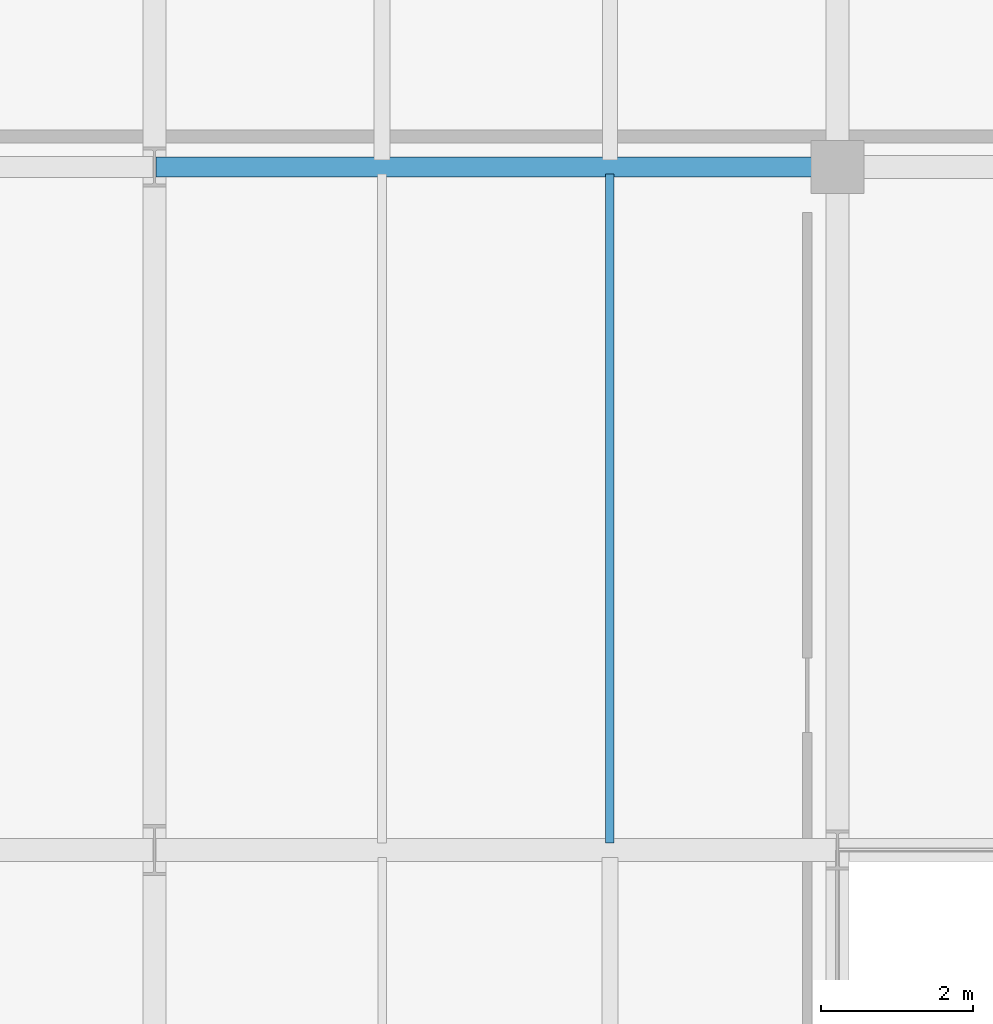
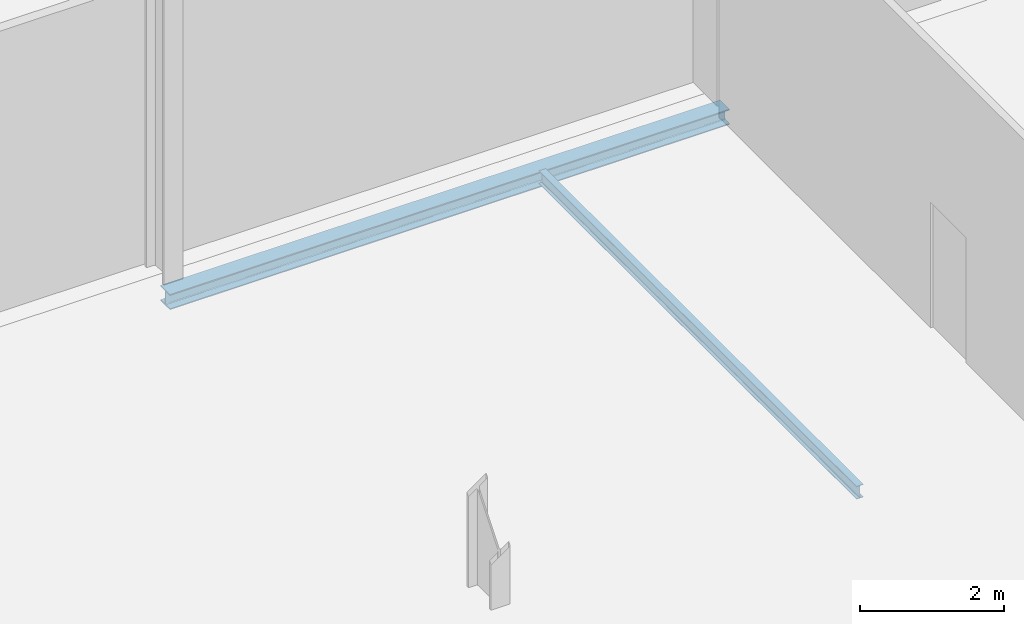
# One storey, part 64 of 237: 2 beams.
"""IFC4 building model written with IfcOpenShell, lengths in metres."""

from ifc_helpers import new_model, si_unit, direction, frame, origin, origin_2d, place, context, subcontext, project, spatial, i_section, extrude, material, material_profile, profile_set, type_object, element, save


model = new_model("IFC4")

# Units and contexts
model_context = context("Model", 3, precision=1e-05, world=origin(), true_north=direction((0.0, 1.0)))
body_context = subcontext(model_context, "Body", "Model", "MODEL_VIEW")
ifc_project = project(units=[si_unit("LENGTHUNIT", "METRE"), si_unit("AREAUNIT", "SQUARE_METRE"), si_unit("VOLUMEUNIT", "CUBIC_METRE"), si_unit("PLANEANGLEUNIT", "RADIAN"), si_unit("MASSUNIT", "GRAM", prefix="KILO")], contexts=[model_context])

# Site, building, storey
site_placement = place(None, origin())
site = spatial("IfcSite", under=ifc_project, at=site_placement, CompositionType="ELEMENT")
building_placement = place(site_placement, origin())
building = spatial("IfcBuilding", under=site, at=building_placement, Name="Barlavento Convention Centre", CompositionType="ELEMENT")
storey_placement = place(building_placement, frame((0.0, 0.0, 12.0)))
storey = spatial("IfcBuildingStorey", under=building, at=storey_placement, Name="L02", CompositionType="ELEMENT", Elevation=12.0)

# Beams
ifc_material = material(Name="Steel S355", Category="steel")
ifc_material_profile_1 = material_profile(ifc_material, i_section(OverallWidth=0.110107421875, OverallDepth=0.219970703125, WebThickness=0.005859375, FlangeThickness=0.00927734375, FilletRadius=0.011962890625, at=origin_2d()), Name="IPE 220")
ifc_profile_set_1 = profile_set([ifc_material_profile_1], Name="Steel S355")
beam_type_1 = type_object("IfcBeamType", Name="STR-BM-JST-IPE220", PredefinedType="JOIST", material=ifc_profile_set_1)
beam_1_placement = place(storey_placement, frame((15.0, 45.094970703125, -0.409912109375), z_axis=(0.0, 1.0, 0.0), x_axis=(-1.0, 0.0, 0.0)))
element("IfcBeam", 1, at=beam_1_placement, inside=storey, type_object=beam_type_1, Name="L02 composite floor joist SJ10", PredefinedType="JOIST", context=body_context, shape_type="SweptSolid", body=[
    extrude(i_section(OverallWidth=0.110107421875, OverallDepth=0.219970703125, WebThickness=0.005859375, FlangeThickness=0.00927734375, FilletRadius=0.011962890625, at=origin_2d()), origin(), (0.0, 0.0, 1.0), 8.81005859375),
])
ifc_material_profile_2 = material_profile(ifc_material, i_section(OverallWidth=0.260009765625, OverallDepth=0.260009765625, WebThickness=0.010009765625, FlangeThickness=0.017578125, FilletRadius=0.02392578125, at=origin_2d()), Name="HEB 260")
ifc_profile_set_2 = profile_set([ifc_material_profile_2], Name="Steel S355")
beam_type_2 = type_object("IfcBeamType", Name="STR-BM-PRI-HEB260", PredefinedType="BEAM", material=ifc_profile_set_2)
beam_2_placement = place(storey_placement, frame((9.02001953125, 54.0, -0.429931640625), z_axis=(1.0, 0.0, 0.0), x_axis=(0.0, 1.0, 0.0)))
element("IfcBeam", 2, at=beam_2_placement, inside=storey, type_object=beam_type_2, Name="L02 primary girder BG16", PredefinedType="BEAM", context=body_context, shape_type="SweptSolid", body=[
    extrude(i_section(OverallWidth=0.260009765625, OverallDepth=0.260009765625, WebThickness=0.010009765625, FlangeThickness=0.017578125, FilletRadius=0.02392578125, at=origin_2d()), origin(), (0.0, 0.0, 1.0), 8.9599609375),
])

save(model, "model.ifc")
